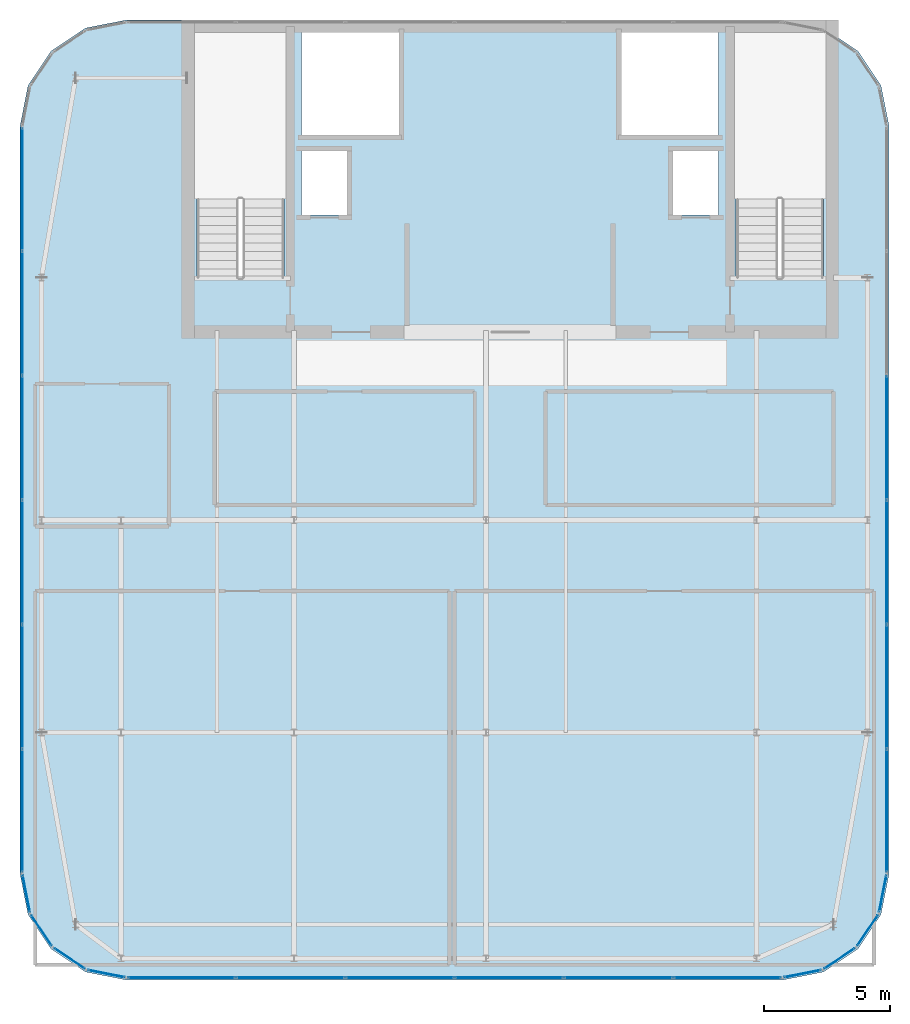
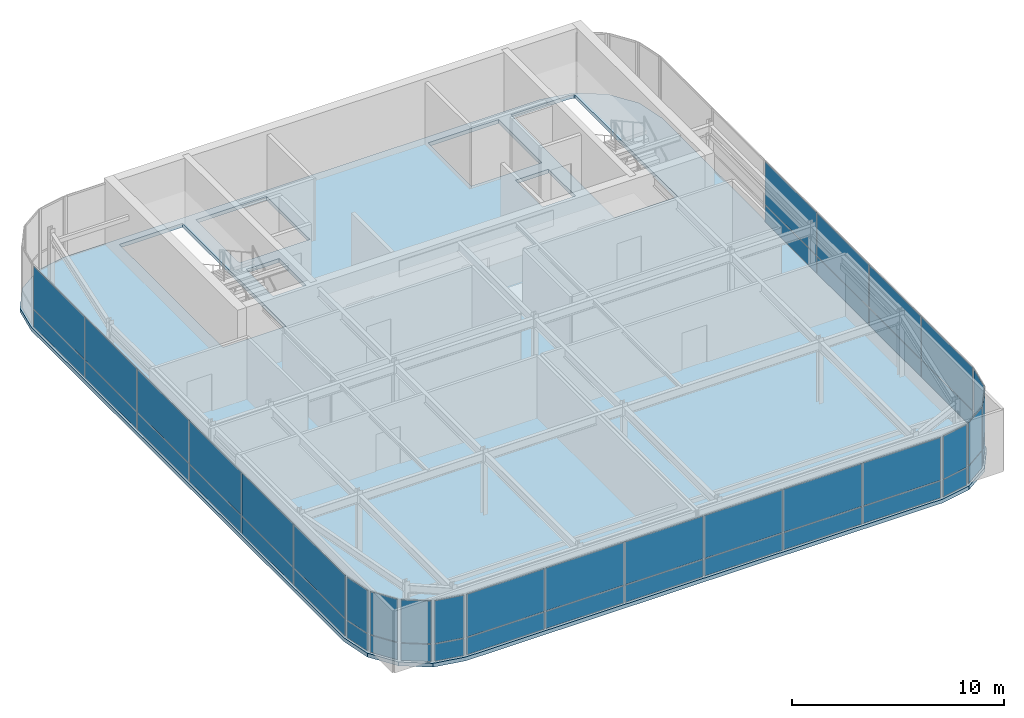
# One storey, part 29 of 36: 48 plates, 1 slab, 11 elements without a shape of their own.
"""IFC4 building model written with IfcOpenShell, lengths in metres."""

from ifc_helpers import new_model, si_unit, direction, frame, origin, origin_2d, place, context, subcontext, project, spatial, polyline, rectangle, outline, extrude, source, transform, mapped, material, layer, layer_set, type_object, type_shapes, element, aggregate, save


model = new_model("IFC4")

# Units and contexts
model_context = context("Model", 3, precision=1e-05, world=origin(), true_north=direction((0.0, 1.0)))
body_context = subcontext(model_context, "Body", "Model", "MODEL_VIEW")
ifc_project = project(units=[si_unit("LENGTHUNIT", "METRE"), si_unit("AREAUNIT", "SQUARE_METRE"), si_unit("VOLUMEUNIT", "CUBIC_METRE"), si_unit("PLANEANGLEUNIT", "RADIAN"), si_unit("MASSUNIT", "GRAM", prefix="KILO")], contexts=[model_context])

# Site, building, storey
site_placement = place(None, origin())
site = spatial("IfcSite", under=ifc_project, at=site_placement, CompositionType="ELEMENT")
building_placement = place(site_placement, origin())
building = spatial("IfcBuilding", under=site, at=building_placement, Name="Tolvann Quenvar Hotel", CompositionType="ELEMENT")
storey_placement = place(building_placement, frame((0.0, 0.0, 298.550048828125)))
storey = spatial("IfcBuildingStorey", under=building, at=storey_placement, Name="L79", CompositionType="ELEMENT", Elevation=298.550048828125)

# Slab
ifc_material_1 = material(Name="Concrete N50 (50 MPa)", Category="concrete")
ifc_layer_1 = layer(ifc_material_1, 0.219970703125)
ifc_layer_set_1 = layer_set([ifc_layer_1], Name="Concrete N50 (50 MPa)")
slab_type = type_object("IfcSlabType", Name="SLAB_UPR_220", PredefinedType="FLOOR", material=ifc_layer_set_1)
slab_placement = place(storey_placement, frame((0.0, 0.0, -0.219970703125)))
element("IfcSlab", 1, at=slab_placement, inside=storey, type_object=slab_type, Name="Level L79 Structural Floor Slab", PredefinedType="FLOOR", context=body_context, shape_type="SweptSolid", body=[
    extrude(outline(polyline([(3.60009765625, 10.39990234375), (3.919677734375, 8.792724609375), (4.830078125, 7.43017578125), (6.192626953125, 6.519775390625), (7.800048828125, 6.199951171875), (33.800048828125, 6.199951171875), (35.4072265625, 6.519775390625), (36.769775390625, 7.43017578125), (37.680419921875, 8.792724609375), (38.0, 10.39990234375), (38.0, 40.0), (37.680419921875, 41.607421875), (36.769775390625, 42.9697265625), (35.4072265625, 43.88037109375), (33.800048828125, 44.199951171875), (7.800048828125, 44.199951171875), (6.192626953125, 43.88037109375), (4.830078125, 42.9697265625), (3.919677734375, 41.607421875), (3.60009765625, 40.0), (3.60009765625, 10.39990234375)]), holes=[polyline([(35.093505859375, 43.800048828125), (35.352783203125, 43.748291015625), (35.39990234375, 43.716796875), (35.39990234375, 34.02490234375), (31.949951171875, 34.02490234375), (31.949951171875, 43.800048828125), (35.093505859375, 43.800048828125)]), polyline([(29.449951171875, 36.47998046875), (29.449951171875, 39.02001953125), (31.25, 39.02001953125), (31.25, 36.47998046875), (29.449951171875, 36.47998046875)]), polyline([(27.39990234375, 39.64990234375), (27.39990234375, 43.75), (31.25, 43.75), (31.25, 39.64990234375), (27.39990234375, 39.64990234375)]), polyline([(14.75, 39.64990234375), (14.75, 43.75), (18.60009765625, 43.75), (18.60009765625, 39.64990234375), (14.75, 39.64990234375)]), polyline([(16.550048828125, 36.47998046875), (14.75, 36.47998046875), (14.75, 39.02001953125), (16.550048828125, 39.02001953125), (16.550048828125, 36.47998046875)]), polyline([(14.050048828125, 34.02490234375), (10.60009765625, 34.02490234375), (10.60009765625, 43.800048828125), (14.050048828125, 43.800048828125), (14.050048828125, 34.02490234375)])]), origin(), (0.0, 0.0, 1.0), 0.219970703125),
])

# Curtain wall, plate
ifc_material_2 = material(Name="Thermally broken anodised architectural aluminium 6063-T6 and laminated low-E glass", Category="aluminium")
ifc_layer_2 = layer(ifc_material_2, 0.179931640625)
ifc_layer_set_2 = layer_set([ifc_layer_2], Name="Thermally broken anodised architectural aluminium 6063-T6 and laminated low-E glass")
curtain_wall_type = type_object("IfcCurtainWallType", Name="CW_SYS_LANT_06", PredefinedType="USERDEFINED", material=ifc_layer_set_2)
curtain_wall_1_placement = place(storey_placement, origin())
curtain_wall_1 = element("IfcCurtainWall", 2, at=curtain_wall_1_placement, inside=storey, type_object=curtain_wall_type, Name="Curtain Wall CW-LANT-06 (CWR-L79-E01)", ObjectType="UNITISED CURTAIN WALL", PredefinedType="USERDEFINED")
ifc_material_3 = material(Name="Diffused translucent ceramic-frit laminated lantern glass", Category="glass")
ifc_layer_3 = layer(ifc_material_3, 0.031982421875)
ifc_layer_set_3 = layer_set([ifc_layer_3], Name="Diffused translucent ceramic-frit laminated lantern glass")
plate_type = type_object("IfcPlateType", Name="CW_PAN_LANT_32", PredefinedType="CURTAIN_PANEL", material=ifc_layer_set_3)
shared_shape_1 = source(origin(), body_context, "Body", "SweptSolid", [
    extrude(rectangle(XDim=1.439208984375, YDim=0.031982421875, at=origin_2d()), origin(), (0.0, 0.0, 1.0), 0.97509765625),
])
plate_1_placement = place(storey_placement, frame((4.44970703125, 8.16162109375, 0.0498046875), z_axis=(0.0, 0.0, 1.0), x_axis=(0.555655769644, -0.831412452193, 0.0)))
plate_1 = element("IfcPlate", 3, at=plate_1_placement, type_object=plate_type, Name="CW-LANT-06 panel 1.1", PredefinedType="CURTAIN_PANEL", context=body_context, shape_type="MappedRepresentation", body=[
    mapped(shared_shape_1, transform((0.0, 0.0, 0.0), x_axis=(1.0, 0.0, 0.0), y_axis=(0.0, 1.0, 0.0), z_axis=(0.0, 0.0, 1.0), scale=1.0)),
])

curtain_wall_2_placement = place(storey_placement, origin())
curtain_wall_2 = element("IfcCurtainWall", 4, at=curtain_wall_2_placement, inside=storey, type_object=curtain_wall_type, Name="Curtain Wall CW-LANT-06 (CWR-L79-E02)", ObjectType="UNITISED CURTAIN WALL", PredefinedType="USERDEFINED")
plate_2_placement = place(storey_placement, frame((5.5615234375, 7.0498046875, 0.0498046875), z_axis=(0.0, 0.0, 1.0), x_axis=(0.831412452193, -0.555655769644, 0.0)))
plate_2 = element("IfcPlate", 5, at=plate_2_placement, type_object=plate_type, Name="CW-LANT-06 panel 1.1", PredefinedType="CURTAIN_PANEL", context=body_context, shape_type="MappedRepresentation", body=[
    mapped(shared_shape_1, transform((0.0, 0.0, 0.0), x_axis=(1.0, 0.0, 0.0), y_axis=(0.0, 1.0, 0.0), z_axis=(0.0, 0.0, 1.0), scale=1.0)),
])

curtain_wall_3_placement = place(storey_placement, origin())
curtain_wall_3 = element("IfcCurtainWall", 6, at=curtain_wall_3_placement, inside=storey, type_object=curtain_wall_type, Name="Curtain Wall CW-LANT-06 (CWR-L79-E06)", ObjectType="UNITISED CURTAIN WALL", PredefinedType="USERDEFINED")
plate_3_placement = place(storey_placement, frame((36.03857421875, 7.0498046875, 0.0498046875), z_axis=(0.0, 0.0, 1.0), x_axis=(0.831412452193, 0.555655769644, 0.0)))
plate_3 = element("IfcPlate", 7, at=plate_3_placement, type_object=plate_type, Name="CW-LANT-06 panel 1.1", PredefinedType="CURTAIN_PANEL", context=body_context, shape_type="MappedRepresentation", body=[
    mapped(shared_shape_1, transform((0.0, 0.0, 0.0), x_axis=(1.0, 0.0, 0.0), y_axis=(0.0, 1.0, 0.0), z_axis=(0.0, 0.0, 1.0), scale=1.0)),
])

curtain_wall_4_placement = place(storey_placement, origin())
curtain_wall_4 = element("IfcCurtainWall", 8, at=curtain_wall_4_placement, inside=storey, type_object=curtain_wall_type, Name="Curtain Wall CW-LANT-06 (CWR-L79-E07)", ObjectType="UNITISED CURTAIN WALL", PredefinedType="USERDEFINED")
plate_4_placement = place(storey_placement, frame((37.150146484375, 8.16162109375, 0.0498046875), z_axis=(0.0, 0.0, 1.0), x_axis=(0.555655769644, 0.831412452193, 0.0)))
plate_4 = element("IfcPlate", 9, at=plate_4_placement, type_object=plate_type, Name="CW-LANT-06 panel 1.1", PredefinedType="CURTAIN_PANEL", context=body_context, shape_type="MappedRepresentation", body=[
    mapped(shared_shape_1, transform((0.0, 0.0, 0.0), x_axis=(1.0, 0.0, 0.0), y_axis=(0.0, 1.0, 0.0), z_axis=(0.0, 0.0, 1.0), scale=1.0)),
])

# Plate
shared_shape_2 = source(origin(), body_context, "Body", "SweptSolid", [
    extrude(rectangle(XDim=1.439208984375, YDim=0.031982421875, at=origin_2d()), origin(), (0.0, 0.0, 1.0), 2.455078125),
])
plate_5_placement = place(storey_placement, frame((4.44970703125, 8.16162109375, 1.074951171875), z_axis=(0.0, 0.0, 1.0), x_axis=(0.555655769644, -0.831412452193, 0.0)))
plate_5 = element("IfcPlate", 10, at=plate_5_placement, type_object=plate_type, Name="CW-LANT-06 panel 1.2", PredefinedType="CURTAIN_PANEL", context=body_context, shape_type="MappedRepresentation", body=[
    mapped(shared_shape_2, transform((0.0, 0.0, 0.0), x_axis=(1.0, 0.0, 0.0), y_axis=(0.0, 1.0, 0.0), z_axis=(0.0, 0.0, 1.0), scale=1.0)),
])

aggregate(curtain_wall_1, [plate_1, plate_5])

plate_6_placement = place(storey_placement, frame((5.5615234375, 7.0498046875, 1.074951171875), z_axis=(0.0, 0.0, 1.0), x_axis=(0.831412452193, -0.555655769644, 0.0)))
plate_6 = element("IfcPlate", 11, at=plate_6_placement, type_object=plate_type, Name="CW-LANT-06 panel 1.2", PredefinedType="CURTAIN_PANEL", context=body_context, shape_type="MappedRepresentation", body=[
    mapped(shared_shape_2, transform((0.0, 0.0, 0.0), x_axis=(1.0, 0.0, 0.0), y_axis=(0.0, 1.0, 0.0), z_axis=(0.0, 0.0, 1.0), scale=1.0)),
])

aggregate(curtain_wall_2, [plate_2, plate_6])

plate_7_placement = place(storey_placement, frame((36.03857421875, 7.0498046875, 1.074951171875), z_axis=(0.0, 0.0, 1.0), x_axis=(0.831412452193, 0.555655769644, 0.0)))
plate_7 = element("IfcPlate", 12, at=plate_7_placement, type_object=plate_type, Name="CW-LANT-06 panel 1.2", PredefinedType="CURTAIN_PANEL", context=body_context, shape_type="MappedRepresentation", body=[
    mapped(shared_shape_2, transform((0.0, 0.0, 0.0), x_axis=(1.0, 0.0, 0.0), y_axis=(0.0, 1.0, 0.0), z_axis=(0.0, 0.0, 1.0), scale=1.0)),
])

aggregate(curtain_wall_3, [plate_3, plate_7])

plate_8_placement = place(storey_placement, frame((37.150146484375, 8.16162109375, 1.074951171875), z_axis=(0.0, 0.0, 1.0), x_axis=(0.555655769644, 0.831412452193, 0.0)))
plate_8 = element("IfcPlate", 13, at=plate_8_placement, type_object=plate_type, Name="CW-LANT-06 panel 1.2", PredefinedType="CURTAIN_PANEL", context=body_context, shape_type="MappedRepresentation", body=[
    mapped(shared_shape_2, transform((0.0, 0.0, 0.0), x_axis=(1.0, 0.0, 0.0), y_axis=(0.0, 1.0, 0.0), z_axis=(0.0, 0.0, 1.0), scale=1.0)),
])

aggregate(curtain_wall_4, [plate_4, plate_8])

# Curtain wall, plate
curtain_wall_5_placement = place(storey_placement, origin())
curtain_wall_5 = element("IfcCurtainWall", 14, at=curtain_wall_5_placement, inside=storey, type_object=curtain_wall_type, Name="Curtain Wall CW-LANT-06 (CWR-L79-E03)", ObjectType="UNITISED CURTAIN WALL", PredefinedType="USERDEFINED")
shared_shape_3 = source(origin(), body_context, "Body", "SweptSolid", [
    extrude(rectangle(XDim=1.456787109375, YDim=0.031982421875, at=origin_2d()), origin(), (0.0, 0.0, 1.0), 0.97509765625),
])
plate_9_placement = place(storey_placement, frame((7.0224609375, 6.4462890625, 0.0498046875), z_axis=(0.0, 0.0, 1.0), x_axis=(0.980790999222, -0.195061569369, 0.0)))
plate_9 = element("IfcPlate", 15, at=plate_9_placement, type_object=plate_type, Name="CW-LANT-06 panel 1.1", PredefinedType="CURTAIN_PANEL", context=body_context, shape_type="MappedRepresentation", body=[
    mapped(shared_shape_3, transform((0.0, 0.0, 0.0), x_axis=(1.0, 0.0, 0.0), y_axis=(0.0, 1.0, 0.0), z_axis=(0.0, 0.0, 1.0), scale=1.0)),
])

curtain_wall_6_placement = place(storey_placement, origin())
curtain_wall_6 = element("IfcCurtainWall", 16, at=curtain_wall_6_placement, inside=storey, type_object=curtain_wall_type, Name="Curtain Wall CW-LANT-06 (CWR-L79-E05)", ObjectType="UNITISED CURTAIN WALL", PredefinedType="USERDEFINED")
plate_10_placement = place(storey_placement, frame((34.577392578125, 6.4462890625, 0.0498046875), z_axis=(0.0, 0.0, 1.0), x_axis=(0.980790999222, 0.195061569369, 0.0)))
plate_10 = element("IfcPlate", 17, at=plate_10_placement, type_object=plate_type, Name="CW-LANT-06 panel 1.1", PredefinedType="CURTAIN_PANEL", context=body_context, shape_type="MappedRepresentation", body=[
    mapped(shared_shape_3, transform((0.0, 0.0, 0.0), x_axis=(1.0, 0.0, 0.0), y_axis=(0.0, 1.0, 0.0), z_axis=(0.0, 0.0, 1.0), scale=1.0)),
])

curtain_wall_7_placement = place(storey_placement, origin())
curtain_wall_7 = element("IfcCurtainWall", 18, at=curtain_wall_7_placement, inside=storey, type_object=curtain_wall_type, Name="Curtain Wall CW-LANT-06 (CWR-L79-E08)", ObjectType="UNITISED CURTAIN WALL", PredefinedType="USERDEFINED")
plate_11_placement = place(storey_placement, frame((37.753662109375, 9.62255859375, 0.0498046875), z_axis=(0.0, 0.0, 1.0), x_axis=(0.195061569369, 0.980790999222, 0.0)))
plate_11 = element("IfcPlate", 19, at=plate_11_placement, type_object=plate_type, Name="CW-LANT-06 panel 1.1", PredefinedType="CURTAIN_PANEL", context=body_context, shape_type="MappedRepresentation", body=[
    mapped(shared_shape_3, transform((0.0, 0.0, 0.0), x_axis=(1.0, 0.0, 0.0), y_axis=(0.0, 1.0, 0.0), z_axis=(0.0, 0.0, 1.0), scale=1.0)),
])

curtain_wall_8_placement = place(storey_placement, origin())
curtain_wall_8 = element("IfcCurtainWall", 20, at=curtain_wall_8_placement, inside=storey, type_object=curtain_wall_type, Name="Curtain Wall CW-LANT-06 (CWR-L79-E20)", ObjectType="UNITISED CURTAIN WALL", PredefinedType="USERDEFINED")
plate_12_placement = place(storey_placement, frame((3.846435546875, 9.62255859375, 0.0498046875), z_axis=(0.0, 0.0, 1.0), x_axis=(0.195061569369, -0.980790999222, 0.0)))
plate_12 = element("IfcPlate", 21, at=plate_12_placement, type_object=plate_type, Name="CW-LANT-06 panel 1.1", PredefinedType="CURTAIN_PANEL", context=body_context, shape_type="MappedRepresentation", body=[
    mapped(shared_shape_3, transform((0.0, 0.0, 0.0), x_axis=(1.0, 0.0, 0.0), y_axis=(0.0, 1.0, 0.0), z_axis=(0.0, 0.0, 1.0), scale=1.0)),
])

# Plate
shared_shape_4 = source(origin(), body_context, "Body", "SweptSolid", [
    extrude(rectangle(XDim=1.456787109375, YDim=0.031982421875, at=origin_2d()), origin(), (0.0, 0.0, 1.0), 2.455078125),
])
plate_13_placement = place(storey_placement, frame((7.0224609375, 6.4462890625, 1.074951171875), z_axis=(0.0, 0.0, 1.0), x_axis=(0.980790999222, -0.195061569369, 0.0)))
plate_13 = element("IfcPlate", 22, at=plate_13_placement, type_object=plate_type, Name="CW-LANT-06 panel 1.2", PredefinedType="CURTAIN_PANEL", context=body_context, shape_type="MappedRepresentation", body=[
    mapped(shared_shape_4, transform((0.0, 0.0, 0.0), x_axis=(1.0, 0.0, 0.0), y_axis=(0.0, 1.0, 0.0), z_axis=(0.0, 0.0, 1.0), scale=1.0)),
])

aggregate(curtain_wall_5, [plate_9, plate_13])

plate_14_placement = place(storey_placement, frame((34.577392578125, 6.4462890625, 1.074951171875), z_axis=(0.0, 0.0, 1.0), x_axis=(0.980790999222, 0.195061569369, 0.0)))
plate_14 = element("IfcPlate", 23, at=plate_14_placement, type_object=plate_type, Name="CW-LANT-06 panel 1.2", PredefinedType="CURTAIN_PANEL", context=body_context, shape_type="MappedRepresentation", body=[
    mapped(shared_shape_4, transform((0.0, 0.0, 0.0), x_axis=(1.0, 0.0, 0.0), y_axis=(0.0, 1.0, 0.0), z_axis=(0.0, 0.0, 1.0), scale=1.0)),
])

aggregate(curtain_wall_6, [plate_10, plate_14])

plate_15_placement = place(storey_placement, frame((37.753662109375, 9.62255859375, 1.074951171875), z_axis=(0.0, 0.0, 1.0), x_axis=(0.195061569369, 0.980790999222, 0.0)))
plate_15 = element("IfcPlate", 24, at=plate_15_placement, type_object=plate_type, Name="CW-LANT-06 panel 1.2", PredefinedType="CURTAIN_PANEL", context=body_context, shape_type="MappedRepresentation", body=[
    mapped(shared_shape_4, transform((0.0, 0.0, 0.0), x_axis=(1.0, 0.0, 0.0), y_axis=(0.0, 1.0, 0.0), z_axis=(0.0, 0.0, 1.0), scale=1.0)),
])

aggregate(curtain_wall_7, [plate_11, plate_15])

plate_16_placement = place(storey_placement, frame((3.846435546875, 9.62255859375, 1.074951171875), z_axis=(0.0, 0.0, 1.0), x_axis=(0.195061569369, -0.980790999222, 0.0)))
plate_16 = element("IfcPlate", 25, at=plate_16_placement, type_object=plate_type, Name="CW-LANT-06 panel 1.2", PredefinedType="CURTAIN_PANEL", context=body_context, shape_type="MappedRepresentation", body=[
    mapped(shared_shape_4, transform((0.0, 0.0, 0.0), x_axis=(1.0, 0.0, 0.0), y_axis=(0.0, 1.0, 0.0), z_axis=(0.0, 0.0, 1.0), scale=1.0)),
])

aggregate(curtain_wall_8, [plate_12, plate_16])

# Curtain wall, plates
curtain_wall_9_placement = place(storey_placement, origin())
curtain_wall_9 = element("IfcCurtainWall", 26, at=curtain_wall_9_placement, inside=storey, type_object=curtain_wall_type, Name="Curtain Wall CW-LANT-06 (CWR-L79-E04)", ObjectType="UNITISED CURTAIN WALL", PredefinedType="USERDEFINED")
shared_shape_5 = source(origin(), body_context, "Body", "SweptSolid", [
    extrude(rectangle(XDim=4.22998046875, YDim=0.031982421875, at=origin_2d()), origin(), (0.0, 0.0, 1.0), 0.97509765625),
])
plate_17_placement = place(storey_placement, frame((9.997314453125, 6.2900390625, 0.0498046875), z_axis=(0.0, 0.0, 1.0), x_axis=(1.0, 0.0, 0.0)))
plate_17 = element("IfcPlate", 27, at=plate_17_placement, type_object=plate_type, Name="CW-LANT-06 panel 1.1", PredefinedType="CURTAIN_PANEL", context=body_context, shape_type="MappedRepresentation", body=[
    mapped(shared_shape_5, transform((0.0, 0.0, 0.0), x_axis=(1.0, 0.0, 0.0), y_axis=(0.0, 1.0, 0.0), z_axis=(0.0, 0.0, 1.0), scale=1.0)),
])
plate_18_placement = place(storey_placement, frame((31.602783203125, 6.2900390625, 0.0498046875), z_axis=(0.0, 0.0, 1.0), x_axis=(1.0, 0.0, 0.0)))
plate_18 = element("IfcPlate", 28, at=plate_18_placement, type_object=plate_type, Name="CW-LANT-06 panel 6.1", PredefinedType="CURTAIN_PANEL", context=body_context, shape_type="MappedRepresentation", body=[
    mapped(shared_shape_5, transform((0.0, 0.0, 0.0), x_axis=(1.0, 0.0, 0.0), y_axis=(0.0, 1.0, 0.0), z_axis=(0.0, 0.0, 1.0), scale=1.0)),
])
shared_shape_6 = source(origin(), body_context, "Body", "SweptSolid", [
    extrude(rectangle(XDim=4.22998046875, YDim=0.031982421875, at=origin_2d()), origin(), (0.0, 0.0, 1.0), 2.455078125),
])
plate_19_placement = place(storey_placement, frame((9.997314453125, 6.2900390625, 1.074951171875), z_axis=(0.0, 0.0, 1.0), x_axis=(1.0, 0.0, 0.0)))
plate_19 = element("IfcPlate", 29, at=plate_19_placement, type_object=plate_type, Name="CW-LANT-06 panel 1.2", PredefinedType="CURTAIN_PANEL", context=body_context, shape_type="MappedRepresentation", body=[
    mapped(shared_shape_6, transform((0.0, 0.0, 0.0), x_axis=(1.0, 0.0, 0.0), y_axis=(0.0, 1.0, 0.0), z_axis=(0.0, 0.0, 1.0), scale=1.0)),
])
plate_20_placement = place(storey_placement, frame((31.602783203125, 6.2900390625, 1.074951171875), z_axis=(0.0, 0.0, 1.0), x_axis=(1.0, 0.0, 0.0)))
plate_20 = element("IfcPlate", 30, at=plate_20_placement, type_object=plate_type, Name="CW-LANT-06 panel 6.2", PredefinedType="CURTAIN_PANEL", context=body_context, shape_type="MappedRepresentation", body=[
    mapped(shared_shape_6, transform((0.0, 0.0, 0.0), x_axis=(1.0, 0.0, 0.0), y_axis=(0.0, 1.0, 0.0), z_axis=(0.0, 0.0, 1.0), scale=1.0)),
])
shared_shape_7 = source(origin(), body_context, "Body", "SweptSolid", [
    extrude(rectangle(XDim=4.2626953125, YDim=0.031982421875, at=origin_2d()), origin(), (0.0, 0.0, 1.0), 0.97509765625),
])
plate_21_placement = place(storey_placement, frame((14.30859375, 6.2900390625, 0.0498046875), z_axis=(0.0, 0.0, 1.0), x_axis=(1.0, 0.0, 0.0)))
plate_21 = element("IfcPlate", 31, at=plate_21_placement, type_object=plate_type, Name="CW-LANT-06 panel 2.1", PredefinedType="CURTAIN_PANEL", context=body_context, shape_type="MappedRepresentation", body=[
    mapped(shared_shape_7, transform((0.0, 0.0, 0.0), x_axis=(1.0, 0.0, 0.0), y_axis=(0.0, 1.0, 0.0), z_axis=(0.0, 0.0, 1.0), scale=1.0)),
])
plate_22_placement = place(storey_placement, frame((18.63623046875, 6.2900390625, 0.0498046875), z_axis=(0.0, 0.0, 1.0), x_axis=(1.0, 0.0, 0.0)))
plate_22 = element("IfcPlate", 32, at=plate_22_placement, type_object=plate_type, Name="CW-LANT-06 panel 3.1", PredefinedType="CURTAIN_PANEL", context=body_context, shape_type="MappedRepresentation", body=[
    mapped(shared_shape_7, transform((0.0, 0.0, 0.0), x_axis=(1.0, 0.0, 0.0), y_axis=(0.0, 1.0, 0.0), z_axis=(0.0, 0.0, 1.0), scale=1.0)),
])
plate_23_placement = place(storey_placement, frame((22.9638671875, 6.2900390625, 0.0498046875), z_axis=(0.0, 0.0, 1.0), x_axis=(1.0, 0.0, 0.0)))
plate_23 = element("IfcPlate", 33, at=plate_23_placement, type_object=plate_type, Name="CW-LANT-06 panel 4.1", PredefinedType="CURTAIN_PANEL", context=body_context, shape_type="MappedRepresentation", body=[
    mapped(shared_shape_7, transform((0.0, 0.0, 0.0), x_axis=(1.0, 0.0, 0.0), y_axis=(0.0, 1.0, 0.0), z_axis=(0.0, 0.0, 1.0), scale=1.0)),
])
plate_24_placement = place(storey_placement, frame((27.29150390625, 6.2900390625, 0.0498046875), z_axis=(0.0, 0.0, 1.0), x_axis=(1.0, 0.0, 0.0)))
plate_24 = element("IfcPlate", 34, at=plate_24_placement, type_object=plate_type, Name="CW-LANT-06 panel 5.1", PredefinedType="CURTAIN_PANEL", context=body_context, shape_type="MappedRepresentation", body=[
    mapped(shared_shape_7, transform((0.0, 0.0, 0.0), x_axis=(1.0, 0.0, 0.0), y_axis=(0.0, 1.0, 0.0), z_axis=(0.0, 0.0, 1.0), scale=1.0)),
])
shared_shape_8 = source(origin(), body_context, "Body", "SweptSolid", [
    extrude(rectangle(XDim=4.2626953125, YDim=0.031982421875, at=origin_2d()), origin(), (0.0, 0.0, 1.0), 2.455078125),
])
plate_25_placement = place(storey_placement, frame((14.30859375, 6.2900390625, 1.074951171875), z_axis=(0.0, 0.0, 1.0), x_axis=(1.0, 0.0, 0.0)))
plate_25 = element("IfcPlate", 35, at=plate_25_placement, type_object=plate_type, Name="CW-LANT-06 panel 2.2", PredefinedType="CURTAIN_PANEL", context=body_context, shape_type="MappedRepresentation", body=[
    mapped(shared_shape_8, transform((0.0, 0.0, 0.0), x_axis=(1.0, 0.0, 0.0), y_axis=(0.0, 1.0, 0.0), z_axis=(0.0, 0.0, 1.0), scale=1.0)),
])
plate_26_placement = place(storey_placement, frame((18.63623046875, 6.2900390625, 1.074951171875), z_axis=(0.0, 0.0, 1.0), x_axis=(1.0, 0.0, 0.0)))
plate_26 = element("IfcPlate", 36, at=plate_26_placement, type_object=plate_type, Name="CW-LANT-06 panel 3.2", PredefinedType="CURTAIN_PANEL", context=body_context, shape_type="MappedRepresentation", body=[
    mapped(shared_shape_8, transform((0.0, 0.0, 0.0), x_axis=(1.0, 0.0, 0.0), y_axis=(0.0, 1.0, 0.0), z_axis=(0.0, 0.0, 1.0), scale=1.0)),
])
plate_27_placement = place(storey_placement, frame((22.9638671875, 6.2900390625, 1.074951171875), z_axis=(0.0, 0.0, 1.0), x_axis=(1.0, 0.0, 0.0)))
plate_27 = element("IfcPlate", 37, at=plate_27_placement, type_object=plate_type, Name="CW-LANT-06 panel 4.2", PredefinedType="CURTAIN_PANEL", context=body_context, shape_type="MappedRepresentation", body=[
    mapped(shared_shape_8, transform((0.0, 0.0, 0.0), x_axis=(1.0, 0.0, 0.0), y_axis=(0.0, 1.0, 0.0), z_axis=(0.0, 0.0, 1.0), scale=1.0)),
])
plate_28_placement = place(storey_placement, frame((27.29150390625, 6.2900390625, 1.074951171875), z_axis=(0.0, 0.0, 1.0), x_axis=(1.0, 0.0, 0.0)))
plate_28 = element("IfcPlate", 38, at=plate_28_placement, type_object=plate_type, Name="CW-LANT-06 panel 5.2", PredefinedType="CURTAIN_PANEL", context=body_context, shape_type="MappedRepresentation", body=[
    mapped(shared_shape_8, transform((0.0, 0.0, 0.0), x_axis=(1.0, 0.0, 0.0), y_axis=(0.0, 1.0, 0.0), z_axis=(0.0, 0.0, 1.0), scale=1.0)),
])
aggregate(curtain_wall_9, [plate_17, plate_19, plate_21, plate_25, plate_22, plate_26, plate_23, plate_27, plate_24, plate_28, plate_18, plate_20])

# Curtain wall, plate
curtain_wall_10_placement = place(storey_placement, origin())
curtain_wall_10 = element("IfcCurtainWall", 39, at=curtain_wall_10_placement, inside=storey, type_object=curtain_wall_type, Name="Curtain Wall CW-LANT-06 (CWR-L79-E09)", ObjectType="UNITISED CURTAIN WALL", PredefinedType="USERDEFINED")
shared_shape_9 = source(origin(), body_context, "Body", "SweptSolid", [
    extrude(rectangle(XDim=4.830078125, YDim=0.031982421875, at=origin_2d()), origin(), (0.0, 0.0, 1.0), 0.97509765625),
])
plate_29_placement = place(storey_placement, frame((37.909912109375, 12.897216796875, 0.0498046875), z_axis=(0.0, 0.0, 1.0), x_axis=(0.0, 1.0, 0.0)))
plate_29 = element("IfcPlate", 40, at=plate_29_placement, type_object=plate_type, Name="CW-LANT-06 panel 1.1", PredefinedType="CURTAIN_PANEL", context=body_context, shape_type="MappedRepresentation", body=[
    mapped(shared_shape_9, transform((0.0, 0.0, 0.0), x_axis=(1.0, 0.0, 0.0), y_axis=(0.0, 1.0, 0.0), z_axis=(0.0, 0.0, 1.0), scale=1.0)),
])

# Curtain wall, plates
curtain_wall_11_placement = place(storey_placement, origin())
curtain_wall_11 = element("IfcCurtainWall", 41, at=curtain_wall_11_placement, inside=storey, type_object=curtain_wall_type, Name="Curtain Wall CW-LANT-06 (CWR-L79-E19)", ObjectType="UNITISED CURTAIN WALL", PredefinedType="USERDEFINED")
plate_30_placement = place(storey_placement, frame((3.68994140625, 37.502685546875, 0.0498046875), z_axis=(0.0, 0.0, 1.0), x_axis=(0.0, -1.0, 0.0)))
plate_30 = element("IfcPlate", 42, at=plate_30_placement, type_object=plate_type, Name="CW-LANT-06 panel 1.1", PredefinedType="CURTAIN_PANEL", context=body_context, shape_type="MappedRepresentation", body=[
    mapped(shared_shape_9, transform((0.0, 0.0, 0.0), x_axis=(1.0, 0.0, 0.0), y_axis=(0.0, 1.0, 0.0), z_axis=(0.0, 0.0, 1.0), scale=1.0)),
])
plate_31_placement = place(storey_placement, frame((3.68994140625, 12.897216796875, 0.0498046875), z_axis=(0.0, 0.0, 1.0), x_axis=(0.0, -1.0, 0.0)))
plate_31 = element("IfcPlate", 43, at=plate_31_placement, type_object=plate_type, Name="CW-LANT-06 panel 6.1", PredefinedType="CURTAIN_PANEL", context=body_context, shape_type="MappedRepresentation", body=[
    mapped(shared_shape_9, transform((0.0, 0.0, 0.0), x_axis=(1.0, 0.0, 0.0), y_axis=(0.0, 1.0, 0.0), z_axis=(0.0, 0.0, 1.0), scale=1.0)),
])

# Plate
shared_shape_10 = source(origin(), body_context, "Body", "SweptSolid", [
    extrude(rectangle(XDim=4.830078125, YDim=0.031982421875, at=origin_2d()), origin(), (0.0, 0.0, 1.0), 2.455078125),
])
plate_32_placement = place(storey_placement, frame((37.909912109375, 12.897216796875, 1.074951171875), z_axis=(0.0, 0.0, 1.0), x_axis=(0.0, 1.0, 0.0)))
plate_32 = element("IfcPlate", 44, at=plate_32_placement, type_object=plate_type, Name="CW-LANT-06 panel 1.2", PredefinedType="CURTAIN_PANEL", context=body_context, shape_type="MappedRepresentation", body=[
    mapped(shared_shape_10, transform((0.0, 0.0, 0.0), x_axis=(1.0, 0.0, 0.0), y_axis=(0.0, 1.0, 0.0), z_axis=(0.0, 0.0, 1.0), scale=1.0)),
])

plate_33_placement = place(storey_placement, frame((3.68994140625, 37.502685546875, 1.074951171875), z_axis=(0.0, 0.0, 1.0), x_axis=(0.0, -1.0, 0.0)))
plate_33 = element("IfcPlate", 45, at=plate_33_placement, type_object=plate_type, Name="CW-LANT-06 panel 1.2", PredefinedType="CURTAIN_PANEL", context=body_context, shape_type="MappedRepresentation", body=[
    mapped(shared_shape_10, transform((0.0, 0.0, 0.0), x_axis=(1.0, 0.0, 0.0), y_axis=(0.0, 1.0, 0.0), z_axis=(0.0, 0.0, 1.0), scale=1.0)),
])

plate_34_placement = place(storey_placement, frame((3.68994140625, 12.897216796875, 1.074951171875), z_axis=(0.0, 0.0, 1.0), x_axis=(0.0, -1.0, 0.0)))
plate_34 = element("IfcPlate", 46, at=plate_34_placement, type_object=plate_type, Name="CW-LANT-06 panel 6.2", PredefinedType="CURTAIN_PANEL", context=body_context, shape_type="MappedRepresentation", body=[
    mapped(shared_shape_10, transform((0.0, 0.0, 0.0), x_axis=(1.0, 0.0, 0.0), y_axis=(0.0, 1.0, 0.0), z_axis=(0.0, 0.0, 1.0), scale=1.0)),
])

shared_shape_11 = source(origin(), body_context, "Body", "SweptSolid", [
    extrude(rectangle(XDim=4.862548828125, YDim=0.031982421875, at=origin_2d()), origin(), (0.0, 0.0, 1.0), 0.97509765625),
])
plate_35_placement = place(storey_placement, frame((37.909912109375, 17.80859375, 0.0498046875), z_axis=(0.0, 0.0, 1.0), x_axis=(0.0, 1.0, 0.0)))
plate_35 = element("IfcPlate", 47, at=plate_35_placement, type_object=plate_type, Name="CW-LANT-06 panel 2.1", PredefinedType="CURTAIN_PANEL", context=body_context, shape_type="MappedRepresentation", body=[
    mapped(shared_shape_11, transform((0.0, 0.0, 0.0), x_axis=(1.0, 0.0, 0.0), y_axis=(0.0, 1.0, 0.0), z_axis=(0.0, 0.0, 1.0), scale=1.0)),
])

plate_36_placement = place(storey_placement, frame((37.909912109375, 22.736083984375, 0.0498046875), z_axis=(0.0, 0.0, 1.0), x_axis=(0.0, 1.0, 0.0)))
plate_36 = element("IfcPlate", 48, at=plate_36_placement, type_object=plate_type, Name="CW-LANT-06 panel 3.1", PredefinedType="CURTAIN_PANEL", context=body_context, shape_type="MappedRepresentation", body=[
    mapped(shared_shape_11, transform((0.0, 0.0, 0.0), x_axis=(1.0, 0.0, 0.0), y_axis=(0.0, 1.0, 0.0), z_axis=(0.0, 0.0, 1.0), scale=1.0)),
])

plate_37_placement = place(storey_placement, frame((37.909912109375, 27.663818359375, 0.0498046875), z_axis=(0.0, 0.0, 1.0), x_axis=(0.0, 1.0, 0.0)))
plate_37 = element("IfcPlate", 49, at=plate_37_placement, type_object=plate_type, Name="CW-LANT-06 panel 4.1", PredefinedType="CURTAIN_PANEL", context=body_context, shape_type="MappedRepresentation", body=[
    mapped(shared_shape_11, transform((0.0, 0.0, 0.0), x_axis=(1.0, 0.0, 0.0), y_axis=(0.0, 1.0, 0.0), z_axis=(0.0, 0.0, 1.0), scale=1.0)),
])

plate_38_placement = place(storey_placement, frame((3.68994140625, 32.59130859375, 0.0498046875), z_axis=(0.0, 0.0, 1.0), x_axis=(0.0, -1.0, 0.0)))
plate_38 = element("IfcPlate", 50, at=plate_38_placement, type_object=plate_type, Name="CW-LANT-06 panel 2.1", PredefinedType="CURTAIN_PANEL", context=body_context, shape_type="MappedRepresentation", body=[
    mapped(shared_shape_11, transform((0.0, 0.0, 0.0), x_axis=(1.0, 0.0, 0.0), y_axis=(0.0, 1.0, 0.0), z_axis=(0.0, 0.0, 1.0), scale=1.0)),
])

plate_39_placement = place(storey_placement, frame((3.68994140625, 27.663818359375, 0.0498046875), z_axis=(0.0, 0.0, 1.0), x_axis=(0.0, -1.0, 0.0)))
plate_39 = element("IfcPlate", 51, at=plate_39_placement, type_object=plate_type, Name="CW-LANT-06 panel 3.1", PredefinedType="CURTAIN_PANEL", context=body_context, shape_type="MappedRepresentation", body=[
    mapped(shared_shape_11, transform((0.0, 0.0, 0.0), x_axis=(1.0, 0.0, 0.0), y_axis=(0.0, 1.0, 0.0), z_axis=(0.0, 0.0, 1.0), scale=1.0)),
])

plate_40_placement = place(storey_placement, frame((3.68994140625, 22.736083984375, 0.0498046875), z_axis=(0.0, 0.0, 1.0), x_axis=(0.0, -1.0, 0.0)))
plate_40 = element("IfcPlate", 52, at=plate_40_placement, type_object=plate_type, Name="CW-LANT-06 panel 4.1", PredefinedType="CURTAIN_PANEL", context=body_context, shape_type="MappedRepresentation", body=[
    mapped(shared_shape_11, transform((0.0, 0.0, 0.0), x_axis=(1.0, 0.0, 0.0), y_axis=(0.0, 1.0, 0.0), z_axis=(0.0, 0.0, 1.0), scale=1.0)),
])

plate_41_placement = place(storey_placement, frame((3.68994140625, 17.80859375, 0.0498046875), z_axis=(0.0, 0.0, 1.0), x_axis=(0.0, -1.0, 0.0)))
plate_41 = element("IfcPlate", 53, at=plate_41_placement, type_object=plate_type, Name="CW-LANT-06 panel 5.1", PredefinedType="CURTAIN_PANEL", context=body_context, shape_type="MappedRepresentation", body=[
    mapped(shared_shape_11, transform((0.0, 0.0, 0.0), x_axis=(1.0, 0.0, 0.0), y_axis=(0.0, 1.0, 0.0), z_axis=(0.0, 0.0, 1.0), scale=1.0)),
])

shared_shape_12 = source(origin(), body_context, "Body", "SweptSolid", [
    extrude(rectangle(XDim=4.862548828125, YDim=0.031982421875, at=origin_2d()), origin(), (0.0, 0.0, 1.0), 2.455078125),
])
type_shapes(plate_type, [shared_shape_1, shared_shape_2, shared_shape_3, shared_shape_4, shared_shape_5, shared_shape_6, shared_shape_7, shared_shape_8, shared_shape_9, shared_shape_10, shared_shape_11, shared_shape_12])
plate_42_placement = place(storey_placement, frame((37.909912109375, 17.80859375, 1.074951171875), z_axis=(0.0, 0.0, 1.0), x_axis=(0.0, 1.0, 0.0)))
plate_42 = element("IfcPlate", 54, at=plate_42_placement, type_object=plate_type, Name="CW-LANT-06 panel 2.2", PredefinedType="CURTAIN_PANEL", context=body_context, shape_type="MappedRepresentation", body=[
    mapped(shared_shape_12, transform((0.0, 0.0, 0.0), x_axis=(1.0, 0.0, 0.0), y_axis=(0.0, 1.0, 0.0), z_axis=(0.0, 0.0, 1.0), scale=1.0)),
])

plate_43_placement = place(storey_placement, frame((37.909912109375, 22.736083984375, 1.074951171875), z_axis=(0.0, 0.0, 1.0), x_axis=(0.0, 1.0, 0.0)))
plate_43 = element("IfcPlate", 55, at=plate_43_placement, type_object=plate_type, Name="CW-LANT-06 panel 3.2", PredefinedType="CURTAIN_PANEL", context=body_context, shape_type="MappedRepresentation", body=[
    mapped(shared_shape_12, transform((0.0, 0.0, 0.0), x_axis=(1.0, 0.0, 0.0), y_axis=(0.0, 1.0, 0.0), z_axis=(0.0, 0.0, 1.0), scale=1.0)),
])

plate_44_placement = place(storey_placement, frame((37.909912109375, 27.663818359375, 1.074951171875), z_axis=(0.0, 0.0, 1.0), x_axis=(0.0, 1.0, 0.0)))
plate_44 = element("IfcPlate", 56, at=plate_44_placement, type_object=plate_type, Name="CW-LANT-06 panel 4.2", PredefinedType="CURTAIN_PANEL", context=body_context, shape_type="MappedRepresentation", body=[
    mapped(shared_shape_12, transform((0.0, 0.0, 0.0), x_axis=(1.0, 0.0, 0.0), y_axis=(0.0, 1.0, 0.0), z_axis=(0.0, 0.0, 1.0), scale=1.0)),
])

aggregate(curtain_wall_10, [plate_29, plate_32, plate_35, plate_42, plate_36, plate_43, plate_37, plate_44])

plate_45_placement = place(storey_placement, frame((3.68994140625, 32.59130859375, 1.074951171875), z_axis=(0.0, 0.0, 1.0), x_axis=(0.0, -1.0, 0.0)))
plate_45 = element("IfcPlate", 57, at=plate_45_placement, type_object=plate_type, Name="CW-LANT-06 panel 2.2", PredefinedType="CURTAIN_PANEL", context=body_context, shape_type="MappedRepresentation", body=[
    mapped(shared_shape_12, transform((0.0, 0.0, 0.0), x_axis=(1.0, 0.0, 0.0), y_axis=(0.0, 1.0, 0.0), z_axis=(0.0, 0.0, 1.0), scale=1.0)),
])

plate_46_placement = place(storey_placement, frame((3.68994140625, 27.663818359375, 1.074951171875), z_axis=(0.0, 0.0, 1.0), x_axis=(0.0, -1.0, 0.0)))
plate_46 = element("IfcPlate", 58, at=plate_46_placement, type_object=plate_type, Name="CW-LANT-06 panel 3.2", PredefinedType="CURTAIN_PANEL", context=body_context, shape_type="MappedRepresentation", body=[
    mapped(shared_shape_12, transform((0.0, 0.0, 0.0), x_axis=(1.0, 0.0, 0.0), y_axis=(0.0, 1.0, 0.0), z_axis=(0.0, 0.0, 1.0), scale=1.0)),
])

plate_47_placement = place(storey_placement, frame((3.68994140625, 22.736083984375, 1.074951171875), z_axis=(0.0, 0.0, 1.0), x_axis=(0.0, -1.0, 0.0)))
plate_47 = element("IfcPlate", 59, at=plate_47_placement, type_object=plate_type, Name="CW-LANT-06 panel 4.2", PredefinedType="CURTAIN_PANEL", context=body_context, shape_type="MappedRepresentation", body=[
    mapped(shared_shape_12, transform((0.0, 0.0, 0.0), x_axis=(1.0, 0.0, 0.0), y_axis=(0.0, 1.0, 0.0), z_axis=(0.0, 0.0, 1.0), scale=1.0)),
])

plate_48_placement = place(storey_placement, frame((3.68994140625, 17.80859375, 1.074951171875), z_axis=(0.0, 0.0, 1.0), x_axis=(0.0, -1.0, 0.0)))
plate_48 = element("IfcPlate", 60, at=plate_48_placement, type_object=plate_type, Name="CW-LANT-06 panel 5.2", PredefinedType="CURTAIN_PANEL", context=body_context, shape_type="MappedRepresentation", body=[
    mapped(shared_shape_12, transform((0.0, 0.0, 0.0), x_axis=(1.0, 0.0, 0.0), y_axis=(0.0, 1.0, 0.0), z_axis=(0.0, 0.0, 1.0), scale=1.0)),
])

aggregate(curtain_wall_11, [plate_30, plate_33, plate_38, plate_45, plate_39, plate_46, plate_40, plate_47, plate_41, plate_48, plate_31, plate_34])

save(model, "model.ifc")
